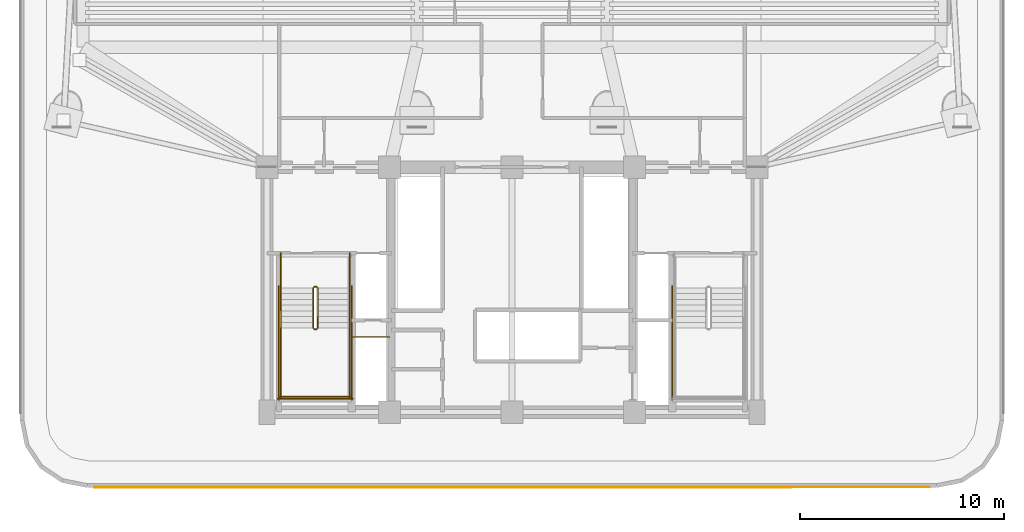
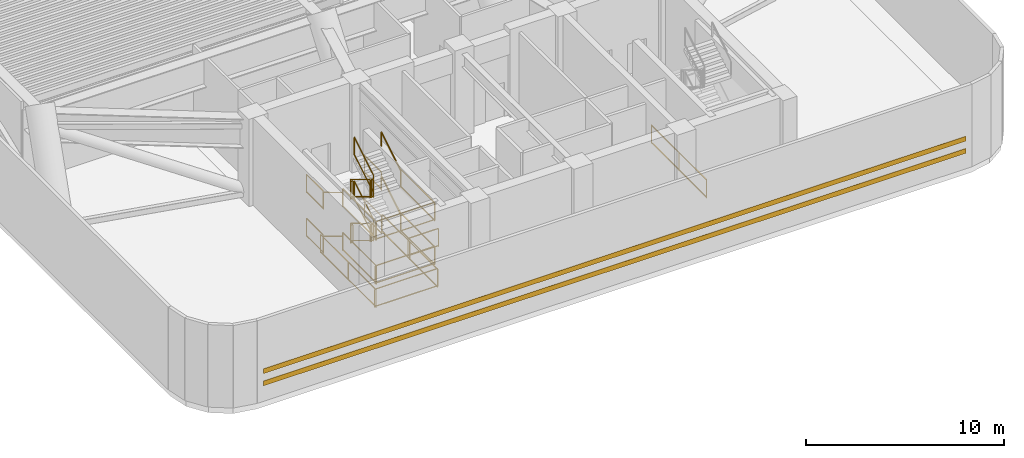
# One storey, part 8 of 11: 27 railings, 2 shading devices.
"""IFC4 building model written with IfcOpenShell, lengths in metres."""

from ifc_helpers import new_model, si_unit, direction, frame, origin, origin_2d, place, context, subcontext, project, spatial, rectangle, extrude, source, transform, mapped, material, layer, layer_set, material_profile, profile_set, type_object, element, save


model = new_model("IFC4")

# Units and contexts
model_context = context("Model", 3, precision=1e-05, world=origin(), true_north=direction((0.0, 1.0)))
body_context = subcontext(model_context, "Body", "Model", "MODEL_VIEW")
ifc_project = project(units=[si_unit("LENGTHUNIT", "METRE"), si_unit("AREAUNIT", "SQUARE_METRE"), si_unit("VOLUMEUNIT", "CUBIC_METRE"), si_unit("PLANEANGLEUNIT", "RADIAN"), si_unit("MASSUNIT", "GRAM", prefix="KILO")], contexts=[model_context])

# Site, building, storey
site_placement = place(None, origin())
site = spatial("IfcSite", under=ifc_project, at=site_placement, CompositionType="ELEMENT")
building_placement = place(site_placement, origin())
building = spatial("IfcBuilding", under=site, at=building_placement, Name="Brelvock Crest Care Tower", CompositionType="ELEMENT")
storey_placement = place(building_placement, frame((0.0, 0.0, 79.919921875)))
storey = spatial("IfcBuildingStorey", under=building, at=storey_placement, Name="L20", CompositionType="ELEMENT", Elevation=79.919921875)

# Railings
ifc_material_1 = material(Name="Steel Grade 350", Category="steel")
ifc_layer_1 = layer(ifc_material_1, 0.050048828125, Name="RL-STG1")
ifc_layer_set_1 = layer_set([ifc_layer_1], Name="Steel Grade 350")
railing_type_1 = type_object("IfcRailingType", Name="RL-STG1", PredefinedType="GUARDRAIL", material=ifc_layer_set_1)
railing_1_placement = place(storey_placement, frame((26.260009765625, 12.080078125, 0.1689453125)))
element("IfcRailing", 1, at=railing_1_placement, inside=storey, type_object=railing_type_1, Name="L20 ST-1 stair guard 1", PredefinedType="GUARDRAIL", context=body_context, shape_type="SweptSolid", body=[
    extrude(rectangle(XDim=0.048095703125, YDim=0.048095703125, at=origin_2d()), frame((0.0, -0.001708984375, 1.116943359375), z_axis=(0.0, -0.856493463811, 0.516157869696), x_axis=(1.0, 0.0, 0.0)), (0.0, 0.0, 1.0), 2.284423828125),
    extrude(rectangle(XDim=0.048095703125, YDim=0.048095703125, at=origin_2d()), frame((0.0, -0.001708984375, 0.05615234375), z_axis=(0.0, -0.856493463811, 0.516157869696), x_axis=(1.0, 0.0, 0.0)), (0.0, 0.0, 1.0), 2.284423828125),
    extrude(rectangle(XDim=0.0419921875, YDim=0.0419921875, at=origin_2d()), origin(), (0.0, 0.0, 1.0), 1.08984375),
    extrude(rectangle(XDim=0.0419921875, YDim=0.0419921875, at=origin_2d()), frame((0.0, -1.9599609375, 1.18115234375)), (0.0, 0.0, 1.0), 1.08984375),
])
railing_2_placement = place(storey_placement, frame((26.31005859375, 10.070068359375, 1.35009765625)))
element("IfcRailing", 2, at=railing_2_placement, inside=storey, type_object=railing_type_1, Name="L20 ST-1 stair guard 2", PredefinedType="GUARDRAIL", context=body_context, shape_type="SweptSolid", body=[
    extrude(rectangle(XDim=0.048095703125, YDim=0.048095703125, at=origin_2d()), frame((0.001953125, 0.0, 1.11572265625), z_axis=(1.0, 0.0, 0.0), x_axis=(0.0, 1.0, 0.0)), (0.0, 0.0, 1.0), 0.115966796875),
    extrude(rectangle(XDim=0.048095703125, YDim=0.048095703125, at=origin_2d()), frame((0.001953125, 0.0, 0.054931640625), z_axis=(1.0, 0.0, 0.0), x_axis=(0.0, 1.0, 0.0)), (0.0, 0.0, 1.0), 0.115966796875),
    extrude(rectangle(XDim=0.0419921875, YDim=0.0419921875, at=origin_2d()), origin(), (0.0, 0.0, 1.0), 1.08984375),
    extrude(rectangle(XDim=0.0419921875, YDim=0.0419921875, at=origin_2d()), frame((0.119873046875, 0.0, 0.0)), (0.0, 0.0, 1.0), 1.08984375),
])
for number, where, name in (
    (3, (24.679931640625, 10.1201171875, 1.35009765625), "L20 ST-1 stair guard 3"),
    (4, (28.06005859375, 10.1201171875, 1.35009765625), "L20 ST-1 stair guard 4"),
):
    element("IfcRailing", number, at=place(storey_placement, frame(where)), inside=storey, type_object=railing_type_1, Name=name, PredefinedType="GUARDRAIL", context=body_context, shape_type="SweptSolid", body=[
        extrude(rectangle(XDim=0.048095703125, YDim=0.048095703125, at=origin_2d()), frame((0.0, -0.001953125, 1.11572265625), z_axis=(0.0, -1.0, 0.0), x_axis=(1.0, 0.0, 0.0)), (0.0, 0.0, 1.0), 3.416259765625),
        extrude(rectangle(XDim=0.048095703125, YDim=0.048095703125, at=origin_2d()), frame((0.0, -0.001953125, 0.054931640625), z_axis=(0.0, -1.0, 0.0), x_axis=(1.0, 0.0, 0.0)), (0.0, 0.0, 1.0), 3.416259765625),
        extrude(rectangle(XDim=0.0419921875, YDim=0.0419921875, at=origin_2d()), origin(), (0.0, 0.0, 1.0), 1.08984375),
        extrude(rectangle(XDim=0.0419921875, YDim=0.0419921875, at=origin_2d()), frame((0.0, -3.420166015625, 0.0)), (0.0, 0.0, 1.0), 1.08984375),
    ])
railing_3_placement = place(storey_placement, frame((24.6298828125, 6.75, 1.35009765625)))
element("IfcRailing", 5, at=railing_3_placement, inside=storey, type_object=railing_type_1, Name="L20 ST-1 stair guard 5", PredefinedType="GUARDRAIL", context=body_context, shape_type="SweptSolid", body=[
    extrude(rectangle(XDim=0.048095703125, YDim=0.048095703125, at=origin_2d()), frame((0.001953125, 0.0, 1.11572265625), z_axis=(1.0, 0.0, 0.0), x_axis=(0.0, 1.0, 0.0)), (0.0, 0.0, 1.0), 3.476318359375),
    extrude(rectangle(XDim=0.048095703125, YDim=0.048095703125, at=origin_2d()), frame((0.001953125, 0.0, 0.054931640625), z_axis=(1.0, 0.0, 0.0), x_axis=(0.0, 1.0, 0.0)), (0.0, 0.0, 1.0), 3.476318359375),
    extrude(rectangle(XDim=0.0419921875, YDim=0.0419921875, at=origin_2d()), origin(), (0.0, 0.0, 1.0), 1.08984375),
    extrude(rectangle(XDim=0.0419921875, YDim=0.0419921875, at=origin_2d()), frame((3.480224609375, 0.0, 0.0)), (0.0, 0.0, 1.0), 1.08984375),
])
railing_4_placement = place(storey_placement, frame((26.47998046875, 10.1201171875, 1.518798828125)))
element("IfcRailing", 6, at=railing_4_placement, inside=storey, type_object=railing_type_1, Name="L20 ST-1 stair guard 6", PredefinedType="GUARDRAIL", context=body_context, shape_type="SweptSolid", body=[
    extrude(rectangle(XDim=0.048095703125, YDim=0.048095703125, at=origin_2d()), frame((0.0, 0.001708984375, 1.116943359375), z_axis=(0.0, 0.856446297458, 0.516236127728), x_axis=(-1.0, 0.0, 0.0)), (0.0, 0.0, 1.0), 2.284423828125),
    extrude(rectangle(XDim=0.048095703125, YDim=0.048095703125, at=origin_2d()), frame((0.0, 0.001708984375, 0.05615234375), z_axis=(0.0, 0.856446297458, 0.516236127728), x_axis=(-1.0, 0.0, 0.0)), (0.0, 0.0, 1.0), 2.284423828125),
    extrude(rectangle(XDim=0.0419921875, YDim=0.0419921875, at=origin_2d()), origin(), (0.0, 0.0, 1.0), 1.08984375),
    extrude(rectangle(XDim=0.0419921875, YDim=0.0419921875, at=origin_2d()), frame((0.0, 1.9599609375, 1.181396484375)), (0.0, 0.0, 1.0), 1.08984375),
])
railing_5_placement = place(storey_placement, frame((26.31005859375, 12.1298828125, 2.7001953125)))
element("IfcRailing", 7, at=railing_5_placement, inside=storey, type_object=railing_type_1, Name="L20 ST-1 stair guard 7", PredefinedType="GUARDRAIL", context=body_context, shape_type="SweptSolid", body=[
    extrude(rectangle(XDim=0.048095703125, YDim=0.048095703125, at=origin_2d()), frame((0.001953125, 0.0, 1.11572265625), z_axis=(1.0, 0.0, 0.0), x_axis=(0.0, 1.0, 0.0)), (0.0, 0.0, 1.0), 0.115966796875),
    extrude(rectangle(XDim=0.048095703125, YDim=0.048095703125, at=origin_2d()), frame((0.001953125, 0.0, 0.054931640625), z_axis=(1.0, 0.0, 0.0), x_axis=(0.0, 1.0, 0.0)), (0.0, 0.0, 1.0), 0.115966796875),
    extrude(rectangle(XDim=0.0419921875, YDim=0.0419921875, at=origin_2d()), origin(), (0.0, 0.0, 1.0), 1.08984375),
    extrude(rectangle(XDim=0.0419921875, YDim=0.0419921875, at=origin_2d()), frame((0.119873046875, 0.0, 0.0)), (0.0, 0.0, 1.0), 1.08984375),
])
for number, where, name in (
    (8, (24.679931640625, 13.780029296875, 2.7001953125), "L20 ST-1 stair guard 8"),
    (9, (28.06005859375, 13.780029296875, 2.7001953125), "L20 ST-1 stair guard 9"),
):
    element("IfcRailing", number, at=place(storey_placement, frame(where)), inside=storey, type_object=railing_type_1, Name=name, PredefinedType="GUARDRAIL", context=body_context, shape_type="SweptSolid", body=[
        extrude(rectangle(XDim=0.048095703125, YDim=0.048095703125, at=origin_2d()), frame((0.0, -0.001953125, 1.11572265625), z_axis=(0.0, -1.0, 0.0), x_axis=(1.0, 0.0, 0.0)), (0.0, 0.0, 1.0), 1.696044921875),
        extrude(rectangle(XDim=0.048095703125, YDim=0.048095703125, at=origin_2d()), frame((0.0, -0.001953125, 0.054931640625), z_axis=(0.0, -1.0, 0.0), x_axis=(1.0, 0.0, 0.0)), (0.0, 0.0, 1.0), 1.696044921875),
        extrude(rectangle(XDim=0.0419921875, YDim=0.0419921875, at=origin_2d()), origin(), (0.0, 0.0, 1.0), 1.08984375),
        extrude(rectangle(XDim=0.0419921875, YDim=0.0419921875, at=origin_2d()), frame((0.0, -1.699951171875, 0.0)), (0.0, 0.0, 1.0), 1.08984375),
    ])
railing_6_placement = place(storey_placement, frame((26.260009765625, 12.080078125, 2.868896484375)))
element("IfcRailing", 10, at=railing_6_placement, inside=storey, type_object=railing_type_1, Name="L20 ST-1 stair guard 10", PredefinedType="GUARDRAIL", context=body_context, shape_type="SweptSolid", body=[
    extrude(rectangle(XDim=0.048095703125, YDim=0.048095703125, at=origin_2d()), frame((0.0, -0.001708984375, 1.116943359375), z_axis=(0.0, -0.856493463811, 0.516157869696), x_axis=(1.0, 0.0, 0.0)), (0.0, 0.0, 1.0), 2.284423828125),
    extrude(rectangle(XDim=0.048095703125, YDim=0.048095703125, at=origin_2d()), frame((0.0, -0.001708984375, 0.05615234375), z_axis=(0.0, -0.856493463811, 0.516157869696), x_axis=(1.0, 0.0, 0.0)), (0.0, 0.0, 1.0), 2.284423828125),
    extrude(rectangle(XDim=0.0419921875, YDim=0.0419921875, at=origin_2d()), origin(), (0.0, 0.0, 1.0), 1.08984375),
    extrude(rectangle(XDim=0.0419921875, YDim=0.0419921875, at=origin_2d()), frame((0.0, -1.9599609375, 1.18115234375)), (0.0, 0.0, 1.0), 1.08984375),
])
railing_7_placement = place(storey_placement, frame((26.31005859375, 10.070068359375, 4.050048828125)))
element("IfcRailing", 11, at=railing_7_placement, inside=storey, type_object=railing_type_1, Name="L20 ST-1 stair guard 11", PredefinedType="GUARDRAIL", context=body_context, shape_type="SweptSolid", body=[
    extrude(rectangle(XDim=0.048095703125, YDim=0.048095703125, at=origin_2d()), frame((0.001953125, 0.0, 1.11572265625), z_axis=(1.0, 0.0, 0.0), x_axis=(0.0, 1.0, 0.0)), (0.0, 0.0, 1.0), 0.115966796875),
    extrude(rectangle(XDim=0.048095703125, YDim=0.048095703125, at=origin_2d()), frame((0.001953125, 0.0, 0.054931640625), z_axis=(1.0, 0.0, 0.0), x_axis=(0.0, 1.0, 0.0)), (0.0, 0.0, 1.0), 0.115966796875),
    extrude(rectangle(XDim=0.0419921875, YDim=0.0419921875, at=origin_2d()), origin(), (0.0, 0.0, 1.0), 1.08984375),
    extrude(rectangle(XDim=0.0419921875, YDim=0.0419921875, at=origin_2d()), frame((0.119873046875, 0.0, 0.0)), (0.0, 0.0, 1.0), 1.08984375),
])
for number, where, name in (
    (12, (24.679931640625, 10.1201171875, 4.050048828125), "L20 ST-1 stair guard 12"),
    (13, (28.06005859375, 10.1201171875, 4.050048828125), "L20 ST-1 stair guard 13"),
):
    element("IfcRailing", number, at=place(storey_placement, frame(where)), inside=storey, type_object=railing_type_1, Name=name, PredefinedType="GUARDRAIL", context=body_context, shape_type="SweptSolid", body=[
        extrude(rectangle(XDim=0.048095703125, YDim=0.048095703125, at=origin_2d()), frame((0.0, -0.001953125, 1.11572265625), z_axis=(0.0, -1.0, 0.0), x_axis=(1.0, 0.0, 0.0)), (0.0, 0.0, 1.0), 3.416259765625),
        extrude(rectangle(XDim=0.048095703125, YDim=0.048095703125, at=origin_2d()), frame((0.0, -0.001953125, 0.054931640625), z_axis=(0.0, -1.0, 0.0), x_axis=(1.0, 0.0, 0.0)), (0.0, 0.0, 1.0), 3.416259765625),
        extrude(rectangle(XDim=0.0419921875, YDim=0.0419921875, at=origin_2d()), origin(), (0.0, 0.0, 1.0), 1.08984375),
        extrude(rectangle(XDim=0.0419921875, YDim=0.0419921875, at=origin_2d()), frame((0.0, -3.420166015625, 0.0)), (0.0, 0.0, 1.0), 1.08984375),
    ])
railing_8_placement = place(storey_placement, frame((24.6298828125, 6.75, 4.050048828125)))
element("IfcRailing", 14, at=railing_8_placement, inside=storey, type_object=railing_type_1, Name="L20 ST-1 stair guard 14", PredefinedType="GUARDRAIL", context=body_context, shape_type="SweptSolid", body=[
    extrude(rectangle(XDim=0.048095703125, YDim=0.048095703125, at=origin_2d()), frame((0.001953125, 0.0, 1.11572265625), z_axis=(1.0, 0.0, 0.0), x_axis=(0.0, 1.0, 0.0)), (0.0, 0.0, 1.0), 3.476318359375),
    extrude(rectangle(XDim=0.048095703125, YDim=0.048095703125, at=origin_2d()), frame((0.001953125, 0.0, 0.054931640625), z_axis=(1.0, 0.0, 0.0), x_axis=(0.0, 1.0, 0.0)), (0.0, 0.0, 1.0), 3.476318359375),
    extrude(rectangle(XDim=0.0419921875, YDim=0.0419921875, at=origin_2d()), origin(), (0.0, 0.0, 1.0), 1.08984375),
    extrude(rectangle(XDim=0.0419921875, YDim=0.0419921875, at=origin_2d()), frame((3.480224609375, 0.0, 0.0)), (0.0, 0.0, 1.0), 1.08984375),
])
railing_9_placement = place(storey_placement, frame((26.47998046875, 10.1201171875, 4.21875)))
element("IfcRailing", 15, at=railing_9_placement, inside=storey, type_object=railing_type_1, Name="L20 ST-1 stair guard 15", PredefinedType="GUARDRAIL", context=body_context, shape_type="SweptSolid", body=[
    extrude(rectangle(XDim=0.048095703125, YDim=0.048095703125, at=origin_2d()), frame((0.0, 0.001708984375, 1.116943359375), z_axis=(0.0, 0.856446297458, 0.516236127728), x_axis=(-1.0, 0.0, 0.0)), (0.0, 0.0, 1.0), 2.284423828125),
    extrude(rectangle(XDim=0.048095703125, YDim=0.048095703125, at=origin_2d()), frame((0.0, 0.001708984375, 0.05615234375), z_axis=(0.0, 0.856446297458, 0.516236127728), x_axis=(-1.0, 0.0, 0.0)), (0.0, 0.0, 1.0), 2.284423828125),
    extrude(rectangle(XDim=0.0419921875, YDim=0.0419921875, at=origin_2d()), origin(), (0.0, 0.0, 1.0), 1.08984375),
    extrude(rectangle(XDim=0.0419921875, YDim=0.0419921875, at=origin_2d()), frame((0.0, 1.9599609375, 1.181396484375)), (0.0, 0.0, 1.0), 1.08984375),
])
railing_10_placement = place(storey_placement, frame((26.31005859375, 12.1298828125, 0.0)))
element("IfcRailing", 16, at=railing_10_placement, inside=storey, type_object=railing_type_1, Name="L20 ST-1 stair guard 16", PredefinedType="GUARDRAIL", context=body_context, shape_type="SweptSolid", body=[
    extrude(rectangle(XDim=0.048095703125, YDim=0.048095703125, at=origin_2d()), frame((0.001953125, 0.0, 1.11572265625), z_axis=(1.0, 0.0, 0.0), x_axis=(0.0, 1.0, 0.0)), (0.0, 0.0, 1.0), 0.115966796875),
    extrude(rectangle(XDim=0.048095703125, YDim=0.048095703125, at=origin_2d()), frame((0.001953125, 0.0, 0.054931640625), z_axis=(1.0, 0.0, 0.0), x_axis=(0.0, 1.0, 0.0)), (0.0, 0.0, 1.0), 0.115966796875),
    extrude(rectangle(XDim=0.0419921875, YDim=0.0419921875, at=origin_2d()), origin(), (0.0, 0.0, 1.0), 1.08984375),
    extrude(rectangle(XDim=0.0419921875, YDim=0.0419921875, at=origin_2d()), frame((0.119873046875, 0.0, 0.0)), (0.0, 0.0, 1.0), 1.08984375),
])
for number, where, name in (
    (17, (24.679931640625, 13.780029296875, 0.0), "L20 ST-1 stair guard 17"),
    (18, (28.06005859375, 13.780029296875, 0.0), "L20 ST-1 stair guard 18"),
):
    element("IfcRailing", number, at=place(storey_placement, frame(where)), inside=storey, type_object=railing_type_1, Name=name, PredefinedType="GUARDRAIL", context=body_context, shape_type="SweptSolid", body=[
        extrude(rectangle(XDim=0.048095703125, YDim=0.048095703125, at=origin_2d()), frame((0.0, -0.001953125, 1.11572265625), z_axis=(0.0, -1.0, 0.0), x_axis=(1.0, 0.0, 0.0)), (0.0, 0.0, 1.0), 1.696044921875),
        extrude(rectangle(XDim=0.048095703125, YDim=0.048095703125, at=origin_2d()), frame((0.0, -0.001953125, 0.054931640625), z_axis=(0.0, -1.0, 0.0), x_axis=(1.0, 0.0, 0.0)), (0.0, 0.0, 1.0), 1.696044921875),
        extrude(rectangle(XDim=0.0419921875, YDim=0.0419921875, at=origin_2d()), origin(), (0.0, 0.0, 1.0), 1.08984375),
        extrude(rectangle(XDim=0.0419921875, YDim=0.0419921875, at=origin_2d()), frame((0.0, -1.699951171875, 0.0)), (0.0, 0.0, 1.0), 1.08984375),
    ])
for number, where, name in (
    (19, (24.580078125, 12.179931640625, 0.0), "L20 ST-1 stair guard 19"),
    (20, (28.159912109375, 12.179931640625, 0.0), "L20 ST-1 stair guard 20"),
):
    element("IfcRailing", number, at=place(storey_placement, frame(where)), inside=storey, type_object=railing_type_1, Name=name, PredefinedType="GUARDRAIL", context=body_context, shape_type="SweptSolid", body=[
        extrude(rectangle(XDim=0.048095703125, YDim=0.048095703125, at=origin_2d()), frame((0.0, -0.001953125, 1.11572265625), z_axis=(0.0, -1.0, 0.0), x_axis=(1.0, 0.0, 0.0)), (0.0, 0.0, 1.0), 5.575927734375),
        extrude(rectangle(XDim=0.048095703125, YDim=0.048095703125, at=origin_2d()), frame((0.0, -0.001953125, 0.054931640625), z_axis=(0.0, -1.0, 0.0), x_axis=(1.0, 0.0, 0.0)), (0.0, 0.0, 1.0), 5.575927734375),
        extrude(rectangle(XDim=0.0419921875, YDim=0.0419921875, at=origin_2d()), origin(), (0.0, 0.0, 1.0), 1.08984375),
        extrude(rectangle(XDim=0.0419921875, YDim=0.0419921875, at=origin_2d()), frame((0.0, -2.7900390625, 0.0)), (0.0, 0.0, 1.0), 1.08984375),
        extrude(rectangle(XDim=0.0419921875, YDim=0.0419921875, at=origin_2d()), frame((0.0, -5.579833984375, 0.0)), (0.0, 0.0, 1.0), 1.08984375),
    ])
railing_11_placement = place(storey_placement, frame((24.530029296875, 6.64990234375, 0.0)))
element("IfcRailing", 21, at=railing_11_placement, inside=storey, type_object=railing_type_1, Name="L20 ST-1 stair guard 21", PredefinedType="GUARDRAIL", context=body_context, shape_type="SweptSolid", body=[
    extrude(rectangle(XDim=0.048095703125, YDim=0.048095703125, at=origin_2d()), frame((0.001953125, 0.0, 1.11572265625), z_axis=(1.0, 0.0, 0.0), x_axis=(0.0, 1.0, 0.0)), (0.0, 0.0, 1.0), 3.676025390625),
    extrude(rectangle(XDim=0.048095703125, YDim=0.048095703125, at=origin_2d()), frame((0.001953125, 0.0, 0.054931640625), z_axis=(1.0, 0.0, 0.0), x_axis=(0.0, 1.0, 0.0)), (0.0, 0.0, 1.0), 3.676025390625),
    extrude(rectangle(XDim=0.0419921875, YDim=0.0419921875, at=origin_2d()), origin(), (0.0, 0.0, 1.0), 1.08984375),
    extrude(rectangle(XDim=0.0419921875, YDim=0.0419921875, at=origin_2d()), frame((3.679931640625, 0.0, 0.0)), (0.0, 0.0, 1.0), 1.08984375),
])
railing_12_placement = place(storey_placement, frame((43.840087890625, 12.179931640625, 0.0)))
element("IfcRailing", 22, at=railing_12_placement, inside=storey, type_object=railing_type_1, Name="L20 ST-2 stair guard 19", PredefinedType="GUARDRAIL", context=body_context, shape_type="SweptSolid", body=[
    extrude(rectangle(XDim=0.048095703125, YDim=0.048095703125, at=origin_2d()), frame((0.0, -0.001953125, 1.11572265625), z_axis=(0.0, -1.0, 0.0), x_axis=(1.0, 0.0, 0.0)), (0.0, 0.0, 1.0), 5.575927734375),
    extrude(rectangle(XDim=0.048095703125, YDim=0.048095703125, at=origin_2d()), frame((0.0, -0.001953125, 0.054931640625), z_axis=(0.0, -1.0, 0.0), x_axis=(1.0, 0.0, 0.0)), (0.0, 0.0, 1.0), 5.575927734375),
    extrude(rectangle(XDim=0.0419921875, YDim=0.0419921875, at=origin_2d()), origin(), (0.0, 0.0, 1.0), 1.08984375),
    extrude(rectangle(XDim=0.0419921875, YDim=0.0419921875, at=origin_2d()), frame((0.0, -2.7900390625, 0.0)), (0.0, 0.0, 1.0), 1.08984375),
    extrude(rectangle(XDim=0.0419921875, YDim=0.0419921875, at=origin_2d()), frame((0.0, -5.579833984375, 0.0)), (0.0, 0.0, 1.0), 1.08984375),
])
railing_13_placement = place(storey_placement, frame((28.219970703125, 9.679931640625, 0.0)))
element("IfcRailing", 23, at=railing_13_placement, inside=storey, type_object=railing_type_1, Name="L20 Fire Riser Threshold Guard", PredefinedType="GUARDRAIL", context=body_context, shape_type="SweptSolid", body=[
    extrude(rectangle(XDim=0.048095703125, YDim=0.048095703125, at=origin_2d()), frame((0.001953125, 0.0, 1.11572265625), z_axis=(1.0, 0.0, 0.0), x_axis=(0.0, 1.0, 0.0)), (0.0, 0.0, 1.0), 1.776123046875),
    extrude(rectangle(XDim=0.048095703125, YDim=0.048095703125, at=origin_2d()), frame((0.001953125, 0.0, 0.054931640625), z_axis=(1.0, 0.0, 0.0), x_axis=(0.0, 1.0, 0.0)), (0.0, 0.0, 1.0), 1.776123046875),
    extrude(rectangle(XDim=0.0419921875, YDim=0.0419921875, at=origin_2d()), origin(), (0.0, 0.0, 1.0), 1.08984375),
    extrude(rectangle(XDim=0.0419921875, YDim=0.0419921875, at=origin_2d()), frame((1.780029296875, 0.0, 0.0)), (0.0, 0.0, 1.0), 1.08984375),
])
ifc_layer_2 = layer(ifc_material_1, 0.048095703125, Name="RL-STH1")
ifc_layer_set_2 = layer_set([ifc_layer_2], Name="Steel Grade 350")
railing_type_2 = type_object("IfcRailingType", Name="RL-STH1", PredefinedType="HANDRAIL", material=ifc_layer_set_2)
railing_14_placement = place(storey_placement, frame((24.679931640625, 12.080078125, 0.1689453125)))
element("IfcRailing", 24, at=railing_14_placement, inside=storey, type_object=railing_type_2, Name="L20 ST-1 stair handrail 1", PredefinedType="HANDRAIL", context=body_context, shape_type="SweptSolid", body=[
    extrude(rectangle(XDim=0.048095703125, YDim=0.048095703125, at=origin_2d()), frame((0.0, -0.001708984375, 0.876953125), z_axis=(0.0, -0.856493463811, 0.516157869696), x_axis=(1.0, 0.0, 0.0)), (0.0, 0.0, 1.0), 2.284423828125),
    extrude(rectangle(XDim=0.0419921875, YDim=0.0419921875, at=origin_2d()), origin(), (0.0, 0.0, 1.0), 0.849853515625),
    extrude(rectangle(XDim=0.0419921875, YDim=0.0419921875, at=origin_2d()), frame((0.0, -1.9599609375, 1.18115234375)), (0.0, 0.0, 1.0), 0.849853515625),
])
railing_15_placement = place(storey_placement, frame((28.06005859375, 10.1201171875, 1.518798828125)))
element("IfcRailing", 25, at=railing_15_placement, inside=storey, type_object=railing_type_2, Name="L20 ST-1 stair handrail 2", PredefinedType="HANDRAIL", context=body_context, shape_type="SweptSolid", body=[
    extrude(rectangle(XDim=0.048095703125, YDim=0.048095703125, at=origin_2d()), frame((0.0, 0.001708984375, 0.876953125), z_axis=(0.0, 0.856446297458, 0.516236127728), x_axis=(-1.0, 0.0, 0.0)), (0.0, 0.0, 1.0), 2.284423828125),
    extrude(rectangle(XDim=0.0419921875, YDim=0.0419921875, at=origin_2d()), origin(), (0.0, 0.0, 1.0), 0.849853515625),
    extrude(rectangle(XDim=0.0419921875, YDim=0.0419921875, at=origin_2d()), frame((0.0, 1.9599609375, 1.181396484375)), (0.0, 0.0, 1.0), 0.849853515625),
])
railing_16_placement = place(storey_placement, frame((24.679931640625, 12.080078125, 2.868896484375)))
element("IfcRailing", 26, at=railing_16_placement, inside=storey, type_object=railing_type_2, Name="L20 ST-1 stair handrail 3", PredefinedType="HANDRAIL", context=body_context, shape_type="SweptSolid", body=[
    extrude(rectangle(XDim=0.048095703125, YDim=0.048095703125, at=origin_2d()), frame((0.0, -0.001708984375, 0.876953125), z_axis=(0.0, -0.856493463811, 0.516157869696), x_axis=(1.0, 0.0, 0.0)), (0.0, 0.0, 1.0), 2.284423828125),
    extrude(rectangle(XDim=0.0419921875, YDim=0.0419921875, at=origin_2d()), origin(), (0.0, 0.0, 1.0), 0.849853515625),
    extrude(rectangle(XDim=0.0419921875, YDim=0.0419921875, at=origin_2d()), frame((0.0, -1.9599609375, 1.18115234375)), (0.0, 0.0, 1.0), 0.849853515625),
])
railing_17_placement = place(storey_placement, frame((28.06005859375, 10.1201171875, 4.21875)))
element("IfcRailing", 27, at=railing_17_placement, inside=storey, type_object=railing_type_2, Name="L20 ST-1 stair handrail 4", PredefinedType="HANDRAIL", context=body_context, shape_type="SweptSolid", body=[
    extrude(rectangle(XDim=0.048095703125, YDim=0.048095703125, at=origin_2d()), frame((0.0, 0.001708984375, 0.876953125), z_axis=(0.0, 0.856446297458, 0.516236127728), x_axis=(-1.0, 0.0, 0.0)), (0.0, 0.0, 1.0), 2.284423828125),
    extrude(rectangle(XDim=0.0419921875, YDim=0.0419921875, at=origin_2d()), origin(), (0.0, 0.0, 1.0), 0.849853515625),
    extrude(rectangle(XDim=0.0419921875, YDim=0.0419921875, at=origin_2d()), frame((0.0, 1.9599609375, 1.181396484375)), (0.0, 0.0, 1.0), 0.849853515625),
])

# Shading devices
ifc_material_2 = material(Name="Aluminium 6063-T6", Category="aluminium")
ifc_material_profile = material_profile(ifc_material_2, rectangle(XDim=0.044921875, YDim=0.300048828125, at=origin_2d()), Name="LOUVRE45x300")
ifc_profile_set = profile_set([ifc_material_profile], Name="Aluminium 6063-T6")
shading_device_type = type_object("IfcShadingDeviceType", Name="SHD-LV1", PredefinedType="JALOUSIE", material=ifc_profile_set)
shared_shape = source(origin(), body_context, "Body", "SweptSolid", [
    extrude(rectangle(XDim=0.044921875, YDim=0.300048828125, at=origin_2d()), origin(), (0.0, 0.0, 1.0), 40.89990234375),
])
for number, where, z_axis, x_axis, name in (
    (28, (56.449951171875, 2.324951171875, 1.10009765625), (-1.0, 0.0, 0.0), (0.0, -1.0, 0.0), "L20 Crown Acoustic Louvre 08-1"),
    (29, (56.449951171875, 2.324951171875, 1.85009765625), (-1.0, 0.0, 0.0), (0.0, -1.0, 0.0), "L20 Crown Acoustic Louvre 08-2"),
):
    element("IfcShadingDevice", number, at=place(storey_placement, frame(where, z_axis=z_axis, x_axis=x_axis)), inside=storey, type_object=shading_device_type, Name=name, PredefinedType="JALOUSIE", context=body_context, shape_type="MappedRepresentation", body=[
        mapped(shared_shape, transform((0.0, 0.0, 0.0), x_axis=(1.0, 0.0, 0.0), y_axis=(0.0, 1.0, 0.0), z_axis=(0.0, 0.0, 1.0), scale=1.0)),
    ])

save(model, "model.ifc")
